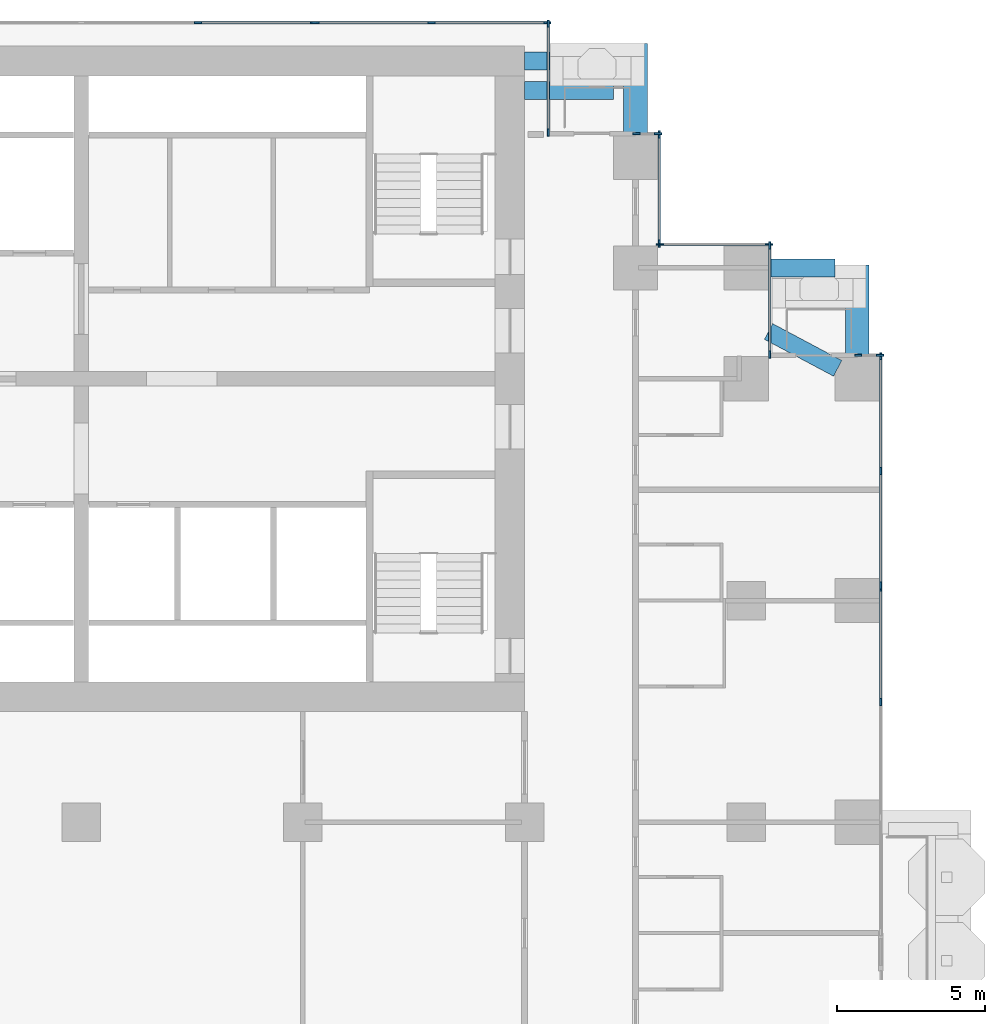
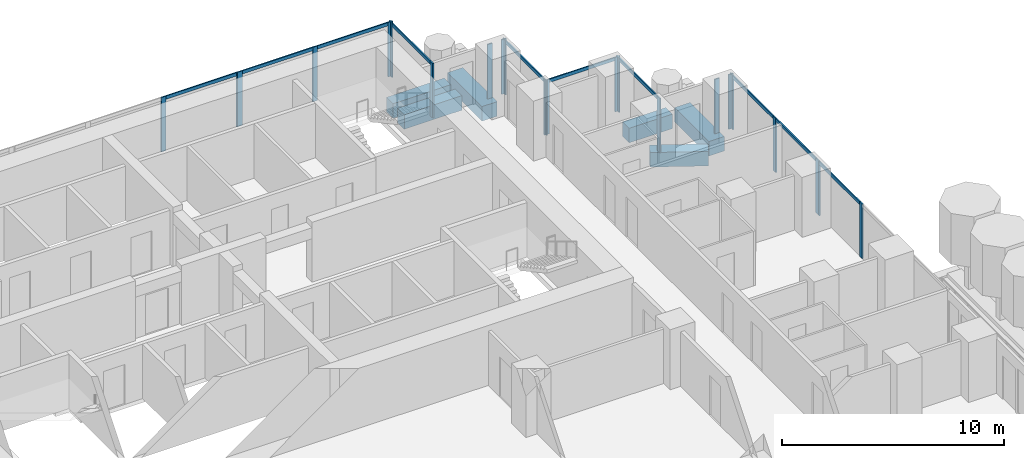
# One storey, part 6 of 19: 32 members, 6 beams, 10 elements without a shape of their own.
"""IFC4 building model written with IfcOpenShell, lengths in metres."""

from ifc_helpers import new_model, si_unit, direction, frame, origin, origin_2d, place, context, subcontext, project, spatial, rectangle, extrude, material, material_profile, profile_set, type_object, element, aggregate, save


model = new_model("IFC4")

# Units and contexts
model_context = context("Model", 3, precision=1e-05, world=origin(), true_north=direction((0.0, 1.0)))
body_context = subcontext(model_context, "Body", "Model", "MODEL_VIEW")
ifc_project = project(units=[si_unit("LENGTHUNIT", "METRE"), si_unit("AREAUNIT", "SQUARE_METRE"), si_unit("VOLUMEUNIT", "CUBIC_METRE"), si_unit("PLANEANGLEUNIT", "RADIAN"), si_unit("MASSUNIT", "GRAM", prefix="KILO")], contexts=[model_context])

# Site, building, storey
site_placement = place(None, origin())
site = spatial("IfcSite", under=ifc_project, at=site_placement, CompositionType="ELEMENT")
building_placement = place(site_placement, origin())
building = spatial("IfcBuilding", under=site, at=building_placement, Name="Pilkhan Gate Tower", CompositionType="ELEMENT")
storey_placement = place(building_placement, frame((0.0, 0.0, 69.199951171875)))
storey = spatial("IfcBuildingStorey", under=building, at=storey_placement, Name="L15", CompositionType="ELEMENT", Elevation=69.199951171875)

# Beams
ifc_material_1 = material(Name="Concrete C50/60", Category="concrete")
ifc_material_profile_1 = material_profile(ifc_material_1, rectangle(XDim=0.60009765625, YDim=0.800048828125, at=origin_2d()), Name="RC 600x800")
ifc_profile_set_1 = profile_set([ifc_material_profile_1], Name="Concrete C50/60")
beam_type_1 = type_object("IfcBeamType", Name="Cantilever beam CB1 RC 600x800 C50/60", PredefinedType="BEAM", material=ifc_profile_set_1)
for number, where, z_axis, x_axis, name in (
    (1, (90.0, 93.25, -0.699951171875), (1.0, 0.0, 0.0), (0.0, 1.0, 0.0), "Balcony beam NE.2 L15"),
    (2, (90.0, 92.25, -0.699951171875), (1.0, 0.0, 0.0), (0.0, 1.0, 0.0), "Balcony beam NE.3 L15"),
):
    element("IfcBeam", number, at=place(storey_placement, frame(where, z_axis=z_axis, x_axis=x_axis)), inside=storey, type_object=beam_type_1, Name=name, PredefinedType="BEAM", context=body_context, shape_type="SweptSolid", body=[
        extrude(rectangle(XDim=0.60009765625, YDim=0.800048828125, at=origin_2d()), origin(), (0.0, 0.0, 1.0), 3.0),
    ])
beam_1_placement = place(storey_placement, frame((98.25, 86.25, -0.699951171875), z_axis=(1.0, 0.0, 0.0), x_axis=(0.0, 1.0, 0.0)))
element("IfcBeam", 3, at=beam_1_placement, inside=storey, type_object=beam_type_1, Name="Balcony beam NE2.2 L15", PredefinedType="BEAM", context=body_context, shape_type="SweptSolid", body=[
    extrude(rectangle(XDim=0.60009765625, YDim=0.800048828125, at=origin_2d()), origin(), (0.0, 0.0, 1.0), 2.25),
])
beam_2_placement = place(storey_placement, frame((100.588134765625, 82.85302734375, -0.699951171875), z_axis=(-0.882342739565, 0.470607362817, 0.0), x_axis=(-0.470607362817, -0.882342739565, 0.0)))
element("IfcBeam", 4, at=beam_2_placement, inside=storey, type_object=beam_type_1, Name="Balcony beam NE2.3 L15", PredefinedType="BEAM", context=body_context, shape_type="SweptSolid", body=[
    extrude(rectangle(XDim=0.60009765625, YDim=0.800048828125, at=origin_2d()), origin(), (0.0, 0.0, 1.0), 2.64990234375),
])
ifc_material_profile_2 = material_profile(ifc_material_1, rectangle(XDim=0.800048828125, YDim=0.800048828125, at=origin_2d()), Name="RC 800x800")
ifc_profile_set_2 = profile_set([ifc_material_profile_2], Name="Concrete C50/60")
beam_type_2 = type_object("IfcBeamType", Name="Cantilever beam CB2 RC 800x800 C50/60", PredefinedType="BEAM", material=ifc_profile_set_2)
for number, where, z_axis, x_axis, name in (
    (5, (93.75, 90.75, -0.699951171875), (0.0, 1.0, 0.0), (-1.0, 0.0, 0.0), "Balcony beam NE.1 L15"),
    (6, (101.25, 83.25, -0.699951171875), (0.0, 1.0, 0.0), (-1.0, 0.0, 0.0), "Balcony beam NE2.1 L15"),
):
    element("IfcBeam", number, at=place(storey_placement, frame(where, z_axis=z_axis, x_axis=x_axis)), inside=storey, type_object=beam_type_2, Name=name, PredefinedType="BEAM", context=body_context, shape_type="SweptSolid", body=[
        extrude(rectangle(XDim=0.800048828125, YDim=0.800048828125, at=origin_2d()), origin(), (0.0, 0.0, 1.0), 3.10009765625),
    ])

# Curtain wall, members
ifc_material_2 = material(Name="Pale anodised aluminium, clear low-iron double glazing", Category="aluminium")
curtain_wall_type = type_object("IfcCurtainWallType", Name="Hotel unitised curtain wall CW-H", PredefinedType="USERDEFINED", material=ifc_material_2)
curtain_wall_1_placement = place(storey_placement, origin())
curtain_wall_1 = element("IfcCurtainWall", 7, at=curtain_wall_1_placement, inside=storey, type_object=curtain_wall_type, Name="Hotel unitised curtain wall CW-H L15 E", ObjectType="UNITISED CURTAIN WALL", PredefinedType="USERDEFINED")
ifc_material_3 = material(Name="Pale anodised aluminium", Category="aluminium")
ifc_material_profile_3 = material_profile(ifc_material_3, rectangle(XDim=0.06494140625, YDim=0.25, at=origin_2d()), Name="Mullion 250x65")
ifc_profile_set_3 = profile_set([ifc_material_profile_3], Name="Pale anodised aluminium")
member_type_1 = type_object("IfcMemberType", Name="Mullion CW-H 250x65", PredefinedType="MULLION", material=ifc_profile_set_3)
member_1_placement = place(storey_placement, frame((102.044921875, 71.568115234375, 0.0), z_axis=(0.0, 0.0, 1.0), x_axis=(-1.0, 0.0, 0.0)))
member_1 = element("IfcMember", 8, at=member_1_placement, type_object=member_type_1, Name="CW-H mullion 3", PredefinedType="MULLION", context=body_context, shape_type="SweptSolid", body=[
    extrude(rectangle(XDim=0.06494140625, YDim=0.25, at=origin_2d()), origin(), (0.0, 0.0, 1.0), 3.0),
])
member_2_placement = place(storey_placement, frame((102.044921875, 75.444580078125, 0.0), z_axis=(0.0, 0.0, 1.0), x_axis=(-1.0, 0.0, 0.0)))
member_2 = element("IfcMember", 9, at=member_2_placement, type_object=member_type_1, Name="CW-H mullion 4", PredefinedType="MULLION", context=body_context, shape_type="SweptSolid", body=[
    extrude(rectangle(XDim=0.06494140625, YDim=0.25, at=origin_2d()), origin(), (0.0, 0.0, 1.0), 3.0),
])

curtain_wall_2_placement = place(storey_placement, origin())
curtain_wall_2 = element("IfcCurtainWall", 10, at=curtain_wall_2_placement, inside=storey, type_object=curtain_wall_type, Name="Hotel unitised curtain wall CW-H L15 E", ObjectType="UNITISED CURTAIN WALL", PredefinedType="USERDEFINED")
member_3_placement = place(storey_placement, frame((102.044921875, 75.509521484375, 0.0), z_axis=(0.0, 0.0, 1.0), x_axis=(-1.0, 0.0, 0.0)))
member_3 = element("IfcMember", 11, at=member_3_placement, type_object=member_type_1, Name="CW-H mullion 1", PredefinedType="MULLION", context=body_context, shape_type="SweptSolid", body=[
    extrude(rectangle(XDim=0.06494140625, YDim=0.25, at=origin_2d()), origin(), (0.0, 0.0, 1.0), 3.0),
])
member_4_placement = place(storey_placement, frame((102.044921875, 79.385986328125, 0.0), z_axis=(0.0, 0.0, 1.0), x_axis=(-1.0, 0.0, 0.0)))
member_4 = element("IfcMember", 12, at=member_4_placement, type_object=member_type_1, Name="CW-H mullion 2", PredefinedType="MULLION", context=body_context, shape_type="SweptSolid", body=[
    extrude(rectangle(XDim=0.06494140625, YDim=0.25, at=origin_2d()), origin(), (0.0, 0.0, 1.0), 3.0),
])
member_5_placement = place(storey_placement, frame((102.044921875, 83.262451171875, 0.0), z_axis=(0.0, 0.0, 1.0), x_axis=(-1.0, 0.0, 0.0)))
member_5 = element("IfcMember", 13, at=member_5_placement, type_object=member_type_1, Name="CW-H mullion 3", PredefinedType="MULLION", context=body_context, shape_type="SweptSolid", body=[
    extrude(rectangle(XDim=0.06494140625, YDim=0.25, at=origin_2d()), origin(), (0.0, 0.0, 1.0), 3.0),
])

curtain_wall_3_placement = place(storey_placement, origin())
curtain_wall_3 = element("IfcCurtainWall", 14, at=curtain_wall_3_placement, inside=storey, type_object=curtain_wall_type, Name="Hotel unitised curtain wall CW-H L15 N", ObjectType="UNITISED CURTAIN WALL", PredefinedType="USERDEFINED")
member_6_placement = place(storey_placement, frame((101.282470703125, 83.294921875, 0.0), z_axis=(0.0, 0.0, 1.0), x_axis=(0.0, 1.0, 0.0)))
member_6 = element("IfcMember", 15, at=member_6_placement, type_object=member_type_1, Name="CW-H mullion 1", PredefinedType="MULLION", context=body_context, shape_type="SweptSolid", body=[
    extrude(rectangle(XDim=0.06494140625, YDim=0.25, at=origin_2d()), origin(), (0.0, 0.0, 1.0), 3.0),
])
member_7_placement = place(storey_placement, frame((102.012451171875, 83.294921875, 0.0), z_axis=(0.0, 0.0, 1.0), x_axis=(0.0, 1.0, 0.0)))
member_7 = element("IfcMember", 16, at=member_7_placement, type_object=member_type_1, Name="CW-H mullion 2", PredefinedType="MULLION", context=body_context, shape_type="SweptSolid", body=[
    extrude(rectangle(XDim=0.06494140625, YDim=0.25, at=origin_2d()), origin(), (0.0, 0.0, 1.0), 3.0),
])
aggregate(curtain_wall_3, [member_6, member_7])

curtain_wall_4_placement = place(storey_placement, origin())
curtain_wall_4 = element("IfcCurtainWall", 17, at=curtain_wall_4_placement, inside=storey, type_object=curtain_wall_type, Name="Hotel unitised curtain wall CW-H L15 E", ObjectType="UNITISED CURTAIN WALL", PredefinedType="USERDEFINED")
member_8_placement = place(storey_placement, frame((98.294921875, 83.327392578125, 0.0), z_axis=(0.0, 0.0, 1.0), x_axis=(-1.0, 0.0, 0.0)))
member_8 = element("IfcMember", 18, at=member_8_placement, type_object=member_type_1, Name="CW-H mullion 1", PredefinedType="MULLION", context=body_context, shape_type="SweptSolid", body=[
    extrude(rectangle(XDim=0.06494140625, YDim=0.25, at=origin_2d()), origin(), (0.0, 0.0, 1.0), 3.0),
])
member_9_placement = place(storey_placement, frame((98.294921875, 87.012451171875, 0.0), z_axis=(0.0, 0.0, 1.0), x_axis=(-1.0, 0.0, 0.0)))
member_9 = element("IfcMember", 19, at=member_9_placement, type_object=member_type_1, Name="CW-H mullion 2", PredefinedType="MULLION", context=body_context, shape_type="SweptSolid", body=[
    extrude(rectangle(XDim=0.06494140625, YDim=0.25, at=origin_2d()), origin(), (0.0, 0.0, 1.0), 3.0),
])

curtain_wall_5_placement = place(storey_placement, origin())
curtain_wall_5 = element("IfcCurtainWall", 20, at=curtain_wall_5_placement, inside=storey, type_object=curtain_wall_type, Name="Hotel unitised curtain wall CW-H L15 N", ObjectType="UNITISED CURTAIN WALL", PredefinedType="USERDEFINED")
member_10_placement = place(storey_placement, frame((94.577392578125, 87.044921875, 0.0), z_axis=(0.0, 0.0, 1.0), x_axis=(0.0, 1.0, 0.0)))
member_10 = element("IfcMember", 21, at=member_10_placement, type_object=member_type_1, Name="CW-H mullion 1", PredefinedType="MULLION", context=body_context, shape_type="SweptSolid", body=[
    extrude(rectangle(XDim=0.06494140625, YDim=0.25, at=origin_2d()), origin(), (0.0, 0.0, 1.0), 3.0),
])
member_11_placement = place(storey_placement, frame((98.262451171875, 87.044921875, 0.0), z_axis=(0.0, 0.0, 1.0), x_axis=(0.0, 1.0, 0.0)))
member_11 = element("IfcMember", 22, at=member_11_placement, type_object=member_type_1, Name="CW-H mullion 2", PredefinedType="MULLION", context=body_context, shape_type="SweptSolid", body=[
    extrude(rectangle(XDim=0.06494140625, YDim=0.25, at=origin_2d()), origin(), (0.0, 0.0, 1.0), 3.0),
])

curtain_wall_6_placement = place(storey_placement, origin())
curtain_wall_6 = element("IfcCurtainWall", 23, at=curtain_wall_6_placement, inside=storey, type_object=curtain_wall_type, Name="Hotel unitised curtain wall CW-H L15 E", ObjectType="UNITISED CURTAIN WALL", PredefinedType="USERDEFINED")
member_12_placement = place(storey_placement, frame((94.544921875, 87.077392578125, 0.0), z_axis=(0.0, 0.0, 1.0), x_axis=(-1.0, 0.0, 0.0)))
member_12 = element("IfcMember", 24, at=member_12_placement, type_object=member_type_1, Name="CW-H mullion 1", PredefinedType="MULLION", context=body_context, shape_type="SweptSolid", body=[
    extrude(rectangle(XDim=0.06494140625, YDim=0.25, at=origin_2d()), origin(), (0.0, 0.0, 1.0), 3.0),
])
member_13_placement = place(storey_placement, frame((94.544921875, 90.762451171875, 0.0), z_axis=(0.0, 0.0, 1.0), x_axis=(-1.0, 0.0, 0.0)))
member_13 = element("IfcMember", 25, at=member_13_placement, type_object=member_type_1, Name="CW-H mullion 2", PredefinedType="MULLION", context=body_context, shape_type="SweptSolid", body=[
    extrude(rectangle(XDim=0.06494140625, YDim=0.25, at=origin_2d()), origin(), (0.0, 0.0, 1.0), 3.0),
])

curtain_wall_7_placement = place(storey_placement, origin())
curtain_wall_7 = element("IfcCurtainWall", 26, at=curtain_wall_7_placement, inside=storey, type_object=curtain_wall_type, Name="Hotel unitised curtain wall CW-H L15 N", ObjectType="UNITISED CURTAIN WALL", PredefinedType="USERDEFINED")
member_14_placement = place(storey_placement, frame((93.782470703125, 90.794921875, 0.0), z_axis=(0.0, 0.0, 1.0), x_axis=(0.0, 1.0, 0.0)))
member_14 = element("IfcMember", 27, at=member_14_placement, type_object=member_type_1, Name="CW-H mullion 1", PredefinedType="MULLION", context=body_context, shape_type="SweptSolid", body=[
    extrude(rectangle(XDim=0.06494140625, YDim=0.25, at=origin_2d()), origin(), (0.0, 0.0, 1.0), 3.0),
])
member_15_placement = place(storey_placement, frame((94.512451171875, 90.794921875, 0.0), z_axis=(0.0, 0.0, 1.0), x_axis=(0.0, 1.0, 0.0)))
member_15 = element("IfcMember", 28, at=member_15_placement, type_object=member_type_1, Name="CW-H mullion 2", PredefinedType="MULLION", context=body_context, shape_type="SweptSolid", body=[
    extrude(rectangle(XDim=0.06494140625, YDim=0.25, at=origin_2d()), origin(), (0.0, 0.0, 1.0), 3.0),
])
aggregate(curtain_wall_7, [member_14, member_15])

curtain_wall_8_placement = place(storey_placement, origin())
curtain_wall_8 = element("IfcCurtainWall", 29, at=curtain_wall_8_placement, inside=storey, type_object=curtain_wall_type, Name="Hotel unitised curtain wall CW-H L15 E", ObjectType="UNITISED CURTAIN WALL", PredefinedType="USERDEFINED")
member_16_placement = place(storey_placement, frame((90.794921875, 90.827392578125, 0.0), z_axis=(0.0, 0.0, 1.0), x_axis=(-1.0, 0.0, 0.0)))
member_16 = element("IfcMember", 30, at=member_16_placement, type_object=member_type_1, Name="CW-H mullion 1", PredefinedType="MULLION", context=body_context, shape_type="SweptSolid", body=[
    extrude(rectangle(XDim=0.06494140625, YDim=0.25, at=origin_2d()), origin(), (0.0, 0.0, 1.0), 3.0),
])
member_17_placement = place(storey_placement, frame((90.794921875, 94.512451171875, 0.0), z_axis=(0.0, 0.0, 1.0), x_axis=(-1.0, 0.0, 0.0)))
member_17 = element("IfcMember", 31, at=member_17_placement, type_object=member_type_1, Name="CW-H mullion 2", PredefinedType="MULLION", context=body_context, shape_type="SweptSolid", body=[
    extrude(rectangle(XDim=0.06494140625, YDim=0.25, at=origin_2d()), origin(), (0.0, 0.0, 1.0), 3.0),
])

curtain_wall_9_placement = place(storey_placement, origin())
curtain_wall_9 = element("IfcCurtainWall", 32, at=curtain_wall_9_placement, inside=storey, type_object=curtain_wall_type, Name="Hotel unitised curtain wall CW-H L15 N", ObjectType="UNITISED CURTAIN WALL", PredefinedType="USERDEFINED")
member_18_placement = place(storey_placement, frame((78.94873046875, 94.544921875, 0.0), z_axis=(0.0, 0.0, 1.0), x_axis=(0.0, 1.0, 0.0)))
member_18 = element("IfcMember", 33, at=member_18_placement, type_object=member_type_1, Name="CW-H mullion 3", PredefinedType="MULLION", context=body_context, shape_type="SweptSolid", body=[
    extrude(rectangle(XDim=0.06494140625, YDim=0.25, at=origin_2d()), origin(), (0.0, 0.0, 1.0), 3.0),
])
member_19_placement = place(storey_placement, frame((82.864990234375, 94.544921875, 0.0), z_axis=(0.0, 0.0, 1.0), x_axis=(0.0, 1.0, 0.0)))
member_19 = element("IfcMember", 34, at=member_19_placement, type_object=member_type_1, Name="CW-H mullion 4", PredefinedType="MULLION", context=body_context, shape_type="SweptSolid", body=[
    extrude(rectangle(XDim=0.06494140625, YDim=0.25, at=origin_2d()), origin(), (0.0, 0.0, 1.0), 3.0),
])

curtain_wall_10_placement = place(storey_placement, origin())
curtain_wall_10 = element("IfcCurtainWall", 35, at=curtain_wall_10_placement, inside=storey, type_object=curtain_wall_type, Name="Hotel unitised curtain wall CW-H L15 N", ObjectType="UNITISED CURTAIN WALL", PredefinedType="USERDEFINED")
member_20_placement = place(storey_placement, frame((82.929931640625, 94.544921875, 0.0), z_axis=(0.0, 0.0, 1.0), x_axis=(0.0, 1.0, 0.0)))
member_20 = element("IfcMember", 36, at=member_20_placement, type_object=member_type_1, Name="CW-H mullion 1", PredefinedType="MULLION", context=body_context, shape_type="SweptSolid", body=[
    extrude(rectangle(XDim=0.06494140625, YDim=0.25, at=origin_2d()), origin(), (0.0, 0.0, 1.0), 3.0),
])
member_21_placement = place(storey_placement, frame((86.84619140625, 94.544921875, 0.0), z_axis=(0.0, 0.0, 1.0), x_axis=(0.0, 1.0, 0.0)))
member_21 = element("IfcMember", 37, at=member_21_placement, type_object=member_type_1, Name="CW-H mullion 2", PredefinedType="MULLION", context=body_context, shape_type="SweptSolid", body=[
    extrude(rectangle(XDim=0.06494140625, YDim=0.25, at=origin_2d()), origin(), (0.0, 0.0, 1.0), 3.0),
])
member_22_placement = place(storey_placement, frame((90.762451171875, 94.544921875, 0.0), z_axis=(0.0, 0.0, 1.0), x_axis=(0.0, 1.0, 0.0)))
member_22 = element("IfcMember", 38, at=member_22_placement, type_object=member_type_1, Name="CW-H mullion 3", PredefinedType="MULLION", context=body_context, shape_type="SweptSolid", body=[
    extrude(rectangle(XDim=0.06494140625, YDim=0.25, at=origin_2d()), origin(), (0.0, 0.0, 1.0), 3.0),
])

# Member
ifc_material_profile_4 = material_profile(ifc_material_3, rectangle(XDim=0.06494140625, YDim=0.179931640625, at=origin_2d()), Name="Transom 180x65")
ifc_profile_set_4 = profile_set([ifc_material_profile_4], Name="Pale anodised aluminium")
member_type_2 = type_object("IfcMemberType", Name="Transom CW-H 180x65", PredefinedType="USERDEFINED", material=ifc_profile_set_4)
member_23_placement = place(storey_placement, frame((102.044921875, 71.6005859375, 2.91015625), z_axis=(0.0, 1.0, 0.0), x_axis=(-1.0, 0.0, 0.0)))
member_23 = element("IfcMember", 39, at=member_23_placement, type_object=member_type_2, Name="CW-H transom 3", ObjectType="TRANSOM", PredefinedType="USERDEFINED", context=body_context, shape_type="SweptSolid", body=[
    extrude(rectangle(XDim=0.06494140625, YDim=0.179931640625, at=origin_2d()), origin(), (0.0, 0.0, 1.0), 3.8115234375),
])

aggregate(curtain_wall_1, [member_1, member_2, member_23])

member_24_placement = place(storey_placement, frame((102.044921875, 75.5419921875, 2.91015625), z_axis=(0.0, 1.0, 0.0), x_axis=(-1.0, 0.0, 0.0)))
member_24 = element("IfcMember", 40, at=member_24_placement, type_object=member_type_2, Name="CW-H transom 1", ObjectType="TRANSOM", PredefinedType="USERDEFINED", context=body_context, shape_type="SweptSolid", body=[
    extrude(rectangle(XDim=0.06494140625, YDim=0.179931640625, at=origin_2d()), origin(), (0.0, 0.0, 1.0), 3.8115234375),
])

member_25_placement = place(storey_placement, frame((102.044921875, 79.41845703125, 2.91015625), z_axis=(0.0, 1.0, 0.0), x_axis=(-1.0, 0.0, 0.0)))
member_25 = element("IfcMember", 41, at=member_25_placement, type_object=member_type_2, Name="CW-H transom 2", ObjectType="TRANSOM", PredefinedType="USERDEFINED", context=body_context, shape_type="SweptSolid", body=[
    extrude(rectangle(XDim=0.06494140625, YDim=0.179931640625, at=origin_2d()), origin(), (0.0, 0.0, 1.0), 3.8115234375),
])

aggregate(curtain_wall_2, [member_3, member_4, member_5, member_24, member_25])

member_26_placement = place(storey_placement, frame((98.294921875, 83.360107421875, 2.91015625), z_axis=(0.0, 1.0, 0.0), x_axis=(-1.0, 0.0, 0.0)))
member_26 = element("IfcMember", 42, at=member_26_placement, type_object=member_type_2, Name="CW-H transom 1", ObjectType="TRANSOM", PredefinedType="USERDEFINED", context=body_context, shape_type="SweptSolid", body=[
    extrude(rectangle(XDim=0.06494140625, YDim=0.179931640625, at=origin_2d()), origin(), (0.0, 0.0, 1.0), 3.619873046875),
])

aggregate(curtain_wall_4, [member_8, member_9, member_26])

member_27_placement = place(storey_placement, frame((94.610107421875, 87.044921875, 2.91015625), z_axis=(1.0, 0.0, 0.0), x_axis=(0.0, 1.0, 0.0)))
member_27 = element("IfcMember", 43, at=member_27_placement, type_object=member_type_2, Name="CW-H transom 1", ObjectType="TRANSOM", PredefinedType="USERDEFINED", context=body_context, shape_type="SweptSolid", body=[
    extrude(rectangle(XDim=0.06494140625, YDim=0.179931640625, at=origin_2d()), origin(), (0.0, 0.0, 1.0), 3.619873046875),
])

aggregate(curtain_wall_5, [member_10, member_11, member_27])

member_28_placement = place(storey_placement, frame((94.544921875, 87.110107421875, 2.91015625), z_axis=(0.0, 1.0, 0.0), x_axis=(-1.0, 0.0, 0.0)))
member_28 = element("IfcMember", 44, at=member_28_placement, type_object=member_type_2, Name="CW-H transom 1", ObjectType="TRANSOM", PredefinedType="USERDEFINED", context=body_context, shape_type="SweptSolid", body=[
    extrude(rectangle(XDim=0.06494140625, YDim=0.179931640625, at=origin_2d()), origin(), (0.0, 0.0, 1.0), 3.619873046875),
])

aggregate(curtain_wall_6, [member_12, member_13, member_28])

member_29_placement = place(storey_placement, frame((90.794921875, 90.860107421875, 2.91015625), z_axis=(0.0, 1.0, 0.0), x_axis=(-1.0, 0.0, 0.0)))
member_29 = element("IfcMember", 45, at=member_29_placement, type_object=member_type_2, Name="CW-H transom 1", ObjectType="TRANSOM", PredefinedType="USERDEFINED", context=body_context, shape_type="SweptSolid", body=[
    extrude(rectangle(XDim=0.06494140625, YDim=0.179931640625, at=origin_2d()), origin(), (0.0, 0.0, 1.0), 3.619873046875),
])

aggregate(curtain_wall_8, [member_16, member_17, member_29])

member_30_placement = place(storey_placement, frame((78.981201171875, 94.544921875, 2.91015625), z_axis=(1.0, 0.0, 0.0), x_axis=(0.0, 1.0, 0.0)))
member_30 = element("IfcMember", 46, at=member_30_placement, type_object=member_type_2, Name="CW-H transom 3", ObjectType="TRANSOM", PredefinedType="USERDEFINED", context=body_context, shape_type="SweptSolid", body=[
    extrude(rectangle(XDim=0.06494140625, YDim=0.179931640625, at=origin_2d()), origin(), (0.0, 0.0, 1.0), 3.851318359375),
])

aggregate(curtain_wall_9, [member_18, member_19, member_30])

member_31_placement = place(storey_placement, frame((82.96240234375, 94.544921875, 2.91015625), z_axis=(1.0, 0.0, 0.0), x_axis=(0.0, 1.0, 0.0)))
member_31 = element("IfcMember", 47, at=member_31_placement, type_object=member_type_2, Name="CW-H transom 1", ObjectType="TRANSOM", PredefinedType="USERDEFINED", context=body_context, shape_type="SweptSolid", body=[
    extrude(rectangle(XDim=0.06494140625, YDim=0.179931640625, at=origin_2d()), origin(), (0.0, 0.0, 1.0), 3.851318359375),
])

member_32_placement = place(storey_placement, frame((86.878662109375, 94.544921875, 2.91015625), z_axis=(1.0, 0.0, 0.0), x_axis=(0.0, 1.0, 0.0)))
member_32 = element("IfcMember", 48, at=member_32_placement, type_object=member_type_2, Name="CW-H transom 2", ObjectType="TRANSOM", PredefinedType="USERDEFINED", context=body_context, shape_type="SweptSolid", body=[
    extrude(rectangle(XDim=0.06494140625, YDim=0.179931640625, at=origin_2d()), origin(), (0.0, 0.0, 1.0), 3.851318359375),
])

aggregate(curtain_wall_10, [member_20, member_21, member_22, member_31, member_32])

save(model, "model.ifc")
